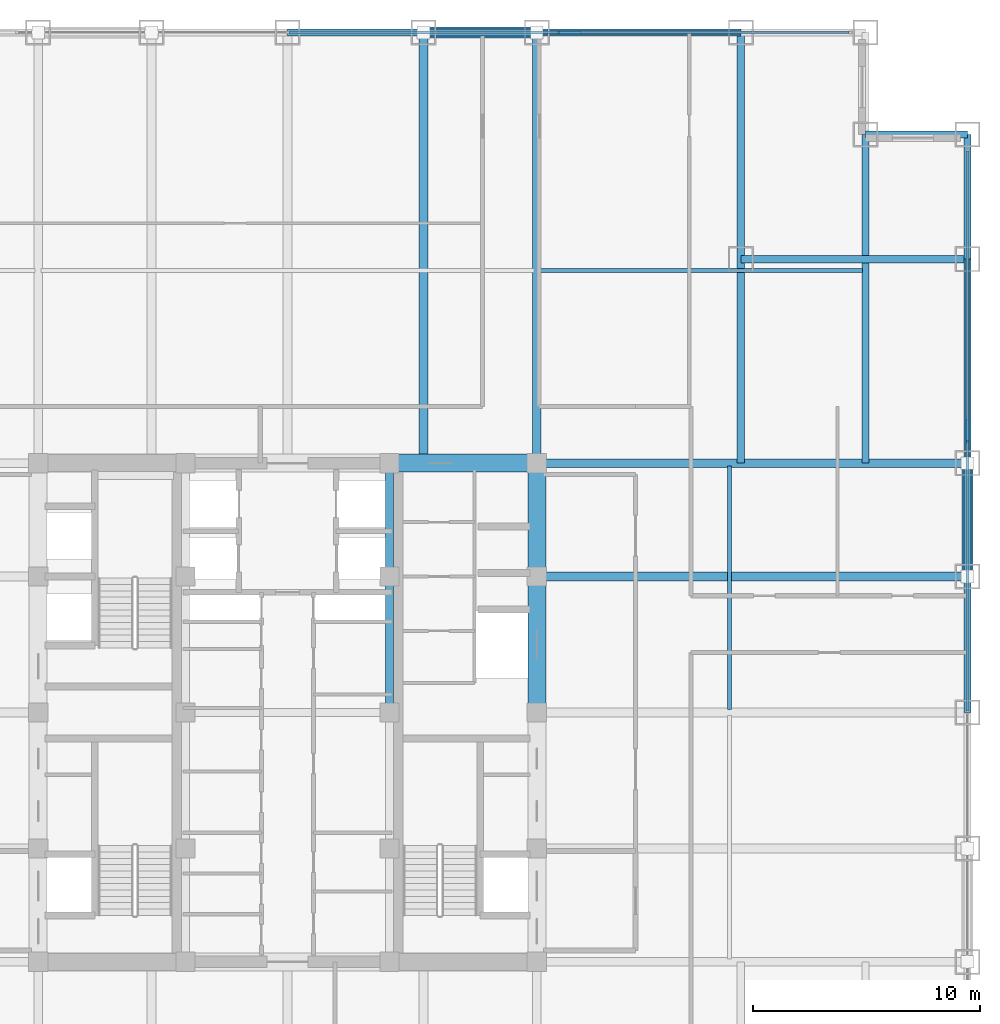
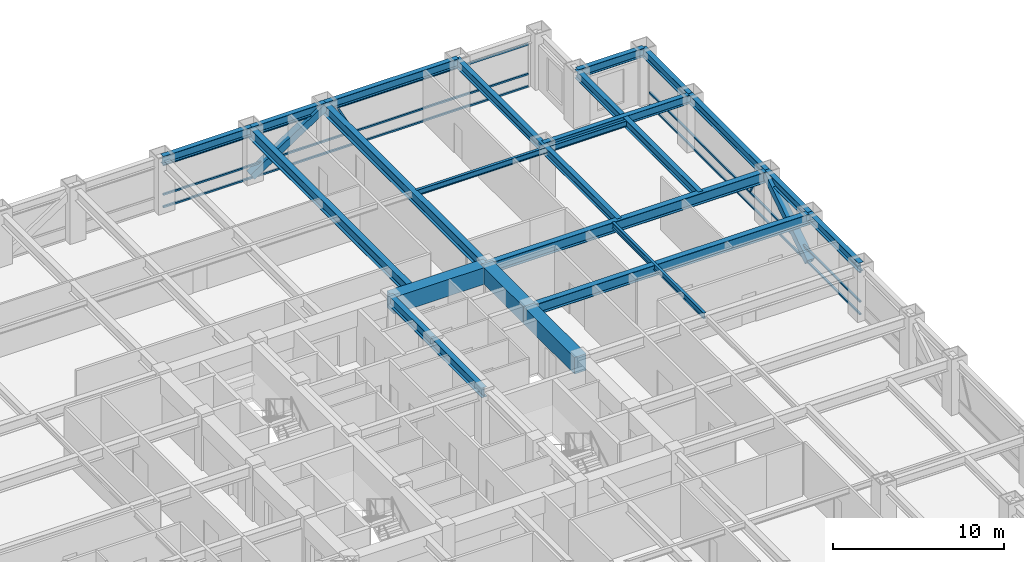
# One storey, part 17 of 25: 22 beams, 10 members, 2 elements without a shape of their own.
"""IFC4 building model written with IfcOpenShell, lengths in metres."""

from ifc_helpers import new_model, si_unit, direction, frame, origin, origin_2d, place, context, subcontext, project, spatial, rectangle, hollow_rectangle, i_section, extrude, source, transform, mapped, material, material_profile, profile_set, type_object, element, aggregate, save


model = new_model("IFC4")

# Units and contexts
model_context = context("Model", 3, precision=1e-05, world=origin(), true_north=direction((0.0, 1.0)))
body_context = subcontext(model_context, "Body", "Model", "MODEL_VIEW")
ifc_project = project(units=[si_unit("LENGTHUNIT", "METRE"), si_unit("AREAUNIT", "SQUARE_METRE"), si_unit("VOLUMEUNIT", "CUBIC_METRE"), si_unit("PLANEANGLEUNIT", "RADIAN"), si_unit("MASSUNIT", "GRAM", prefix="KILO")], contexts=[model_context])

# Site, building, storey
site_placement = place(None, origin())
site = spatial("IfcSite", under=ifc_project, at=site_placement, CompositionType="ELEMENT")
building_placement = place(site_placement, origin())
building = spatial("IfcBuilding", under=site, at=building_placement, Name="Khorayat Bourse Tower", CompositionType="ELEMENT")
storey_placement = place(building_placement, frame((0.0, 0.0, 195.10009765625)))
storey = spatial("IfcBuildingStorey", under=building, at=storey_placement, Name="L45", CompositionType="ELEMENT", Elevation=195.10009765625)

# Beams
ifc_material_1 = material(Name="Concrete C72/90", Category="concrete")
ifc_material_profile_1 = material_profile(ifc_material_1, rectangle(XDim=0.800048828125, YDim=1.199951171875, at=origin_2d()), Name="RC 800x1200")
ifc_profile_set_1 = profile_set([ifc_material_profile_1], Name="Concrete C72/90")
beam_type_1 = type_object("IfcBeamType", Name="BM-COUP-1200", PredefinedType="BEAM", material=ifc_profile_set_1)
shared_shape_1 = source(origin(), body_context, "Body", "SweptSolid", [
    extrude(rectangle(XDim=0.800048828125, YDim=1.199951171875, at=origin_2d()), origin(), (0.0, 0.0, 1.0), 5.0),
])
beam_1_placement = place(storey_placement, frame((11.0, 6.0, 3.179931640625), z_axis=(0.0, 1.0, 0.0), x_axis=(-1.0, 0.0, 0.0)))
element("IfcBeam", 1, at=beam_1_placement, inside=storey, type_object=beam_type_1, Name="L45 BM-COUP-1200 BM-L45-CRX-16", PredefinedType="BEAM", context=body_context, shape_type="MappedRepresentation", body=[
    mapped(shared_shape_1, transform((0.0, 0.0, 0.0), scale=1.0)),
])
shared_shape_2 = source(origin(), body_context, "Body", "SweptSolid", [
    extrude(rectangle(XDim=0.800048828125, YDim=1.199951171875, at=origin_2d()), origin(), (0.0, 0.0, 1.0), 6.0),
])
beam_2_placement = place(storey_placement, frame((11.0, 0.0, 3.179931640625), z_axis=(0.0, 1.0, 0.0), x_axis=(-1.0, 0.0, 0.0)))
element("IfcBeam", 2, at=beam_2_placement, inside=storey, type_object=beam_type_1, Name="L45 BM-COUP-1200 BM-L45-CRX-15", PredefinedType="BEAM", context=body_context, shape_type="MappedRepresentation", body=[
    mapped(shared_shape_2, transform((0.0, 0.0, 0.0), scale=1.0)),
])
ifc_material_2 = material(Name="Steel ASTM A992 Grade 50", Category="steel")
ifc_material_profile_2 = material_profile(ifc_material_2, i_section(OverallWidth=0.35498046875, OverallDepth=0.695068359375, WebThickness=0.015380859375, FlangeThickness=0.02490234375, FilletRadius=0.01806640625, at=origin_2d()), Name="W690X217")
ifc_profile_set_2 = profile_set([ifc_material_profile_2], Name="Steel ASTM A992 Grade 50")
beam_type_2 = type_object("IfcBeamType", Name="BM-GIRD-690", PredefinedType="BEAM", material=ifc_profile_set_2)
shared_shape_3 = source(origin(), body_context, "Body", "SweptSolid", [
    extrude(i_section(OverallWidth=0.35498046875, OverallDepth=0.695068359375, WebThickness=0.015380859375, FlangeThickness=0.02490234375, FilletRadius=0.01806640625, at=origin_2d()), origin(), (0.0, 0.0, 1.0), 5.0),
])
beam_3_placement = place(storey_placement, frame((4.5, 6.0, 3.432373046875), z_axis=(0.0, 1.0, 0.0), x_axis=(-1.0, 0.0, 0.0)))
element("IfcBeam", 3, at=beam_3_placement, inside=storey, type_object=beam_type_2, Name="L45 BM-GIRD-690 BM-L45-CRX-12", PredefinedType="BEAM", context=body_context, shape_type="MappedRepresentation", body=[
    mapped(shared_shape_3, transform((0.0, 0.0, 0.0), scale=1.0)),
])
shared_shape_4 = source(origin(), body_context, "Body", "SweptSolid", [
    extrude(i_section(OverallWidth=0.35498046875, OverallDepth=0.695068359375, WebThickness=0.015380859375, FlangeThickness=0.02490234375, FilletRadius=0.01806640625, at=origin_2d()), origin(), (0.0, 0.0, 1.0), 6.0),
])
beam_4_placement = place(storey_placement, frame((4.5, 0.0, 3.432373046875), z_axis=(0.0, 1.0, 0.0), x_axis=(-1.0, 0.0, 0.0)))
element("IfcBeam", 4, at=beam_4_placement, inside=storey, type_object=beam_type_2, Name="L45 BM-GIRD-690 BM-L45-CRX-11", PredefinedType="BEAM", context=body_context, shape_type="MappedRepresentation", body=[
    mapped(shared_shape_4, transform((0.0, 0.0, 0.0), scale=1.0)),
])
shared_shape_5 = source(origin(), body_context, "Body", "SweptSolid", [
    extrude(rectangle(XDim=0.800048828125, YDim=1.199951171875, at=origin_2d()), origin(), (0.0, 0.0, 1.0), 6.5),
])
beam_5_placement = place(storey_placement, frame((4.5, 11.0, 3.179931640625), z_axis=(1.0, 0.0, 0.0), x_axis=(0.0, 1.0, 0.0)))
element("IfcBeam", 5, at=beam_5_placement, inside=storey, type_object=beam_type_1, Name="L45 BM-COUP-1200 BM-L45-CRY-22", PredefinedType="BEAM", context=body_context, shape_type="MappedRepresentation", body=[
    mapped(shared_shape_5, transform((0.0, 0.0, 0.0), scale=1.0)),
])
ifc_material_profile_3 = material_profile(ifc_material_2, i_section(OverallWidth=0.381103515625, OverallDepth=0.77294921875, WebThickness=0.0166015625, FlangeThickness=0.027587890625, FilletRadius=0.01806640625, at=origin_2d()), Name="W760X257")
ifc_profile_set_3 = profile_set([ifc_material_profile_3], Name="Steel ASTM A992 Grade 50")
beam_type_3 = type_object("IfcBeamType", Name="BM-GIRD-760", PredefinedType="BEAM", material=ifc_profile_set_3)
shared_shape_6 = source(origin(), body_context, "Body", "SweptSolid", [
    extrude(i_section(OverallWidth=0.381103515625, OverallDepth=0.77294921875, WebThickness=0.0166015625, FlangeThickness=0.027587890625, FilletRadius=0.01806640625, at=origin_2d()), origin(), (0.0, 0.0, 1.0), 19.0),
])
for number, where, z_axis, x_axis, name in (
    (6, (6.0, 11.0, 3.393310546875), (0.0, 1.0, 0.0), (-1.0, 0.0, 0.0), "L45 BM-GIRD-760 BM-L45-RADY-070"),
    (7, (11.0, 11.0, 3.393310546875), (0.0, 1.0, 0.0), (-1.0, 0.0, 0.0), "L45 BM-GIRD-760 BM-L45-RADY-072"),
    (8, (11.0, 6.0, 3.393310546875), (1.0, 0.0, 0.0), (0.0, 1.0, 0.0), "L45 BM-GIRD-760 BM-L45-RADX-080"),
    (9, (11.0, 11.0, 3.393310546875), (1.0, 0.0, 0.0), (0.0, 1.0, 0.0), "L45 BM-GIRD-760 BM-L45-RADX-082"),
):
    element("IfcBeam", number, at=place(storey_placement, frame(where, z_axis=z_axis, x_axis=x_axis)), inside=storey, type_object=beam_type_3, Name=name, PredefinedType="BEAM", context=body_context, shape_type="MappedRepresentation", body=[
        mapped(shared_shape_6, transform((0.0, 0.0, 0.0), scale=1.0)),
    ])
ifc_material_profile_4 = material_profile(ifc_material_2, i_section(OverallWidth=0.324951171875, OverallDepth=0.615966796875, WebThickness=0.013916015625, FlangeThickness=0.021484375, FilletRadius=0.01611328125, at=origin_2d()), Name="W610X174")
ifc_profile_set_4 = profile_set([ifc_material_profile_4], Name="Steel ASTM A992 Grade 50")
beam_type_4 = type_object("IfcBeamType", Name="BM-GIRD-610", PredefinedType="BEAM", material=ifc_profile_set_4)
shared_shape_7 = source(origin(), body_context, "Body", "SweptSolid", [
    extrude(i_section(OverallWidth=0.324951171875, OverallDepth=0.615966796875, WebThickness=0.013916015625, FlangeThickness=0.021484375, FilletRadius=0.01611328125, at=origin_2d()), origin(), (0.0, 0.0, 1.0), 19.0),
])
beam_6_placement = place(storey_placement, frame((20.0, 11.0, 3.471923828125), z_axis=(0.0, 1.0, 0.0), x_axis=(-1.0, 0.0, 0.0)))
element("IfcBeam", 10, at=beam_6_placement, inside=storey, type_object=beam_type_4, Name="L45 BM-GIRD-610 BM-L45-CNRY-087", PredefinedType="BEAM", context=body_context, shape_type="MappedRepresentation", body=[
    mapped(shared_shape_7, transform((0.0, 0.0, 0.0), scale=1.0)),
])
shared_shape_8 = source(origin(), body_context, "Body", "SweptSolid", [
    extrude(i_section(OverallWidth=0.324951171875, OverallDepth=0.615966796875, WebThickness=0.013916015625, FlangeThickness=0.021484375, FilletRadius=0.01611328125, at=origin_2d()), origin(), (0.0, 0.0, 1.0), 14.5),
])
beam_7_placement = place(storey_placement, frame((25.5, 11.0, 3.471923828125), z_axis=(0.0, 1.0, 0.0), x_axis=(-1.0, 0.0, 0.0)))
element("IfcBeam", 11, at=beam_7_placement, inside=storey, type_object=beam_type_4, Name="L45 BM-GIRD-610 BM-L45-CNRY-091", PredefinedType="BEAM", context=body_context, shape_type="MappedRepresentation", body=[
    mapped(shared_shape_8, transform((0.0, 0.0, 0.0), scale=1.0)),
])
shared_shape_9 = source(origin(), body_context, "Body", "SweptSolid", [
    extrude(i_section(OverallWidth=0.324951171875, OverallDepth=0.615966796875, WebThickness=0.013916015625, FlangeThickness=0.021484375, FilletRadius=0.01611328125, at=origin_2d()), origin(), (0.0, 0.0, 1.0), 10.0),
])
beam_8_placement = place(storey_placement, frame((20.0, 20.0, 3.471923828125), z_axis=(1.0, 0.0, 0.0), x_axis=(0.0, 1.0, 0.0)))
element("IfcBeam", 12, at=beam_8_placement, inside=storey, type_object=beam_type_4, Name="L45 BM-GIRD-610 BM-L45-CNRX-094", PredefinedType="BEAM", context=body_context, shape_type="MappedRepresentation", body=[
    mapped(shared_shape_9, transform((0.0, 0.0, 0.0), scale=1.0)),
])
ifc_material_profile_5 = material_profile(ifc_material_2, i_section(OverallWidth=0.180908203125, OverallDepth=0.4169921875, WebThickness=0.010986328125, FlangeThickness=0.018310546875, FilletRadius=0.011962890625, at=origin_2d()), Name="W410X85")
ifc_profile_set_5 = profile_set([ifc_material_profile_5], Name="Steel ASTM A992 Grade 50")
beam_type_5 = type_object("IfcBeamType", Name="BM-JOIST-410", PredefinedType="JOIST", material=ifc_profile_set_5)
shared_shape_10 = source(origin(), body_context, "Body", "SweptSolid", [
    extrude(i_section(OverallWidth=0.180908203125, OverallDepth=0.4169921875, WebThickness=0.010986328125, FlangeThickness=0.018310546875, FilletRadius=0.011962890625, at=origin_2d()), origin(), (0.0, 0.0, 1.0), 14.240234375),
])
beam_9_placement = place(storey_placement, frame((11.1298828125, 19.5, 3.5712890625), z_axis=(1.0, 0.0, 0.0), x_axis=(0.0, 1.0, 0.0)))
element("IfcBeam", 13, at=beam_9_placement, inside=storey, type_object=beam_type_5, Name="L45 BM-JOIST-410 BM-L45-JSTX-101", PredefinedType="JOIST", context=body_context, shape_type="MappedRepresentation", body=[
    mapped(shared_shape_10, transform((0.0, 0.0, 0.0), scale=1.0)),
])
shared_shape_11 = source(origin(), body_context, "Body", "SweptSolid", [
    extrude(i_section(OverallWidth=0.180908203125, OverallDepth=0.4169921875, WebThickness=0.010986328125, FlangeThickness=0.018310546875, FilletRadius=0.011962890625, at=origin_2d()), origin(), (0.0, 0.0, 1.0), 10.740234375),
])
beam_10_placement = place(storey_placement, frame((19.5, 0.1298828125, 3.5712890625), z_axis=(0.0, 1.0, 0.0), x_axis=(-1.0, 0.0, 0.0)))
element("IfcBeam", 14, at=beam_10_placement, inside=storey, type_object=beam_type_5, Name="L45 BM-JOIST-410 BM-L45-JSTY-105", PredefinedType="JOIST", context=body_context, shape_type="MappedRepresentation", body=[
    mapped(shared_shape_11, transform((0.0, 0.0, 0.0), scale=1.0)),
])
ifc_material_profile_6 = material_profile(ifc_material_2, i_section(OverallWidth=0.324951171875, OverallDepth=0.615966796875, WebThickness=0.013916015625, FlangeThickness=0.021484375, FilletRadius=0.01611328125, at=origin_2d()), Name="W610X174")
ifc_profile_set_6 = profile_set([ifc_material_profile_6], Name="Steel ASTM A992 Grade 50")
beam_type_6 = type_object("IfcBeamType", Name="BM-SPAN-610", PredefinedType="SPANDREL", material=ifc_profile_set_6)
shared_shape_12 = source(origin(), body_context, "Body", "SweptSolid", [
    extrude(i_section(OverallWidth=0.324951171875, OverallDepth=0.615966796875, WebThickness=0.013916015625, FlangeThickness=0.021484375, FilletRadius=0.01611328125, at=origin_2d()), origin(), (0.0, 0.0, 1.0), 5.5),
])
beam_11_placement = place(storey_placement, frame((30.0, 20.0, 3.471923828125), z_axis=(0.0, 1.0, 0.0), x_axis=(-1.0, 0.0, 0.0)))
element("IfcBeam", 15, at=beam_11_placement, inside=storey, type_object=beam_type_6, Name="L45 BM-SPAN-610 BM-L45-SPN-041", PredefinedType="SPANDREL", context=body_context, shape_type="MappedRepresentation", body=[
    mapped(shared_shape_12, transform((0.0, 0.0, 0.0), scale=1.0)),
])
shared_shape_13 = source(origin(), body_context, "Body", "SweptSolid", [
    extrude(i_section(OverallWidth=0.324951171875, OverallDepth=0.615966796875, WebThickness=0.013916015625, FlangeThickness=0.021484375, FilletRadius=0.01611328125, at=origin_2d()), origin(), (0.0, 0.0, 1.0), 9.0),
])
for number, where, z_axis, x_axis, name in (
    (16, (30.0, 11.0, 3.471923828125), (0.0, 1.0, 0.0), (-1.0, 0.0, 0.0), "L45 BM-SPAN-610 BM-L45-SPN-040"),
    (17, (11.0, 30.0, 3.471923828125), (1.0, 0.0, 0.0), (0.0, 1.0, 0.0), "L45 BM-SPAN-610 BM-L45-SPN-045"),
):
    element("IfcBeam", number, at=place(storey_placement, frame(where, z_axis=z_axis, x_axis=x_axis)), inside=storey, type_object=beam_type_6, Name=name, PredefinedType="SPANDREL", context=body_context, shape_type="MappedRepresentation", body=[
        mapped(shared_shape_13, transform((0.0, 0.0, 0.0), scale=1.0)),
    ])
shared_shape_14 = source(origin(), body_context, "Body", "SweptSolid", [
    extrude(i_section(OverallWidth=0.324951171875, OverallDepth=0.615966796875, WebThickness=0.013916015625, FlangeThickness=0.021484375, FilletRadius=0.01611328125, at=origin_2d()), origin(), (0.0, 0.0, 1.0), 5.0),
])
for number, where, z_axis, x_axis, name in (
    (18, (30.0, 6.0, 3.471923828125), (0.0, 1.0, 0.0), (-1.0, 0.0, 0.0), "L45 BM-SPAN-610 BM-L45-SPN-039"),
    (19, (6.0, 30.0, 3.471923828125), (1.0, 0.0, 0.0), (0.0, 1.0, 0.0), "L45 BM-SPAN-610 BM-L45-SPN-046"),
):
    element("IfcBeam", number, at=place(storey_placement, frame(where, z_axis=z_axis, x_axis=x_axis)), inside=storey, type_object=beam_type_6, Name=name, PredefinedType="SPANDREL", context=body_context, shape_type="MappedRepresentation", body=[
        mapped(shared_shape_14, transform((0.0, 0.0, 0.0), scale=1.0)),
    ])
shared_shape_15 = source(origin(), body_context, "Body", "SweptSolid", [
    extrude(i_section(OverallWidth=0.324951171875, OverallDepth=0.615966796875, WebThickness=0.013916015625, FlangeThickness=0.021484375, FilletRadius=0.01611328125, at=origin_2d()), origin(), (0.0, 0.0, 1.0), 6.0),
])
for number, where, z_axis, x_axis, name in (
    (20, (30.0, 0.0, 3.471923828125), (0.0, 1.0, 0.0), (-1.0, 0.0, 0.0), "L45 BM-SPAN-610 BM-L45-SPN-038"),
    (21, (0.0, 30.0, 3.471923828125), (1.0, 0.0, 0.0), (0.0, 1.0, 0.0), "L45 BM-SPAN-610 BM-L45-SPN-047"),
):
    element("IfcBeam", number, at=place(storey_placement, frame(where, z_axis=z_axis, x_axis=x_axis)), inside=storey, type_object=beam_type_6, Name=name, PredefinedType="SPANDREL", context=body_context, shape_type="MappedRepresentation", body=[
        mapped(shared_shape_15, transform((0.0, 0.0, 0.0), scale=1.0)),
    ])
shared_shape_16 = source(origin(), body_context, "Body", "SweptSolid", [
    extrude(i_section(OverallWidth=0.324951171875, OverallDepth=0.615966796875, WebThickness=0.013916015625, FlangeThickness=0.021484375, FilletRadius=0.01611328125, at=origin_2d()), origin(), (0.0, 0.0, 1.0), 4.5),
])
beam_12_placement = place(storey_placement, frame((25.5, 25.5, 3.471923828125), z_axis=(1.0, 0.0, 0.0), x_axis=(0.0, 1.0, 0.0)))
element("IfcBeam", 22, at=beam_12_placement, inside=storey, type_object=beam_type_6, Name="L45 BM-SPAN-610 BM-L45-SPN-042", PredefinedType="SPANDREL", context=body_context, shape_type="MappedRepresentation", body=[
    mapped(shared_shape_16, transform((0.0, 0.0, 0.0), scale=1.0)),
])

# Members
ifc_material_3 = material(Name="Steel EN 10025-4 S460M", Category="steel")
ifc_material_profile_7 = material_profile(ifc_material_3, hollow_rectangle(XDim=0.5, YDim=0.5, WallThickness=0.028076171875, at=origin_2d()), Name="HSS 500x500x28")
ifc_profile_set_7 = profile_set([ifc_material_profile_7], Name="Steel EN 10025-4 S460M")
member_type_1 = type_object("IfcMemberType", Name="MBR-TUBE-500", PredefinedType="BRACE", material=ifc_profile_set_7)
shared_shape_17 = source(origin(), body_context, "Body", "SweptSolid", [
    extrude(hollow_rectangle(XDim=0.5, YDim=0.5, WallThickness=0.028076171875, at=origin_2d()), origin(), (0.0, 0.0, 1.0), 5.979736328125),
])
for number, where, z_axis, x_axis, name in (
    (23, (6.0, 30.0, 0.25), (0.836160261256, 0.0, 0.548485202623), (0.0, 1.0, 0.0), "L45 Perimeter Tube Brace 04"),
    (24, (30.0, 6.0, 0.25), (0.0, 0.836160261256, 0.548485202623), (-1.0, 0.0, 0.0), "L45 Perimeter Tube Brace 08"),
):
    element("IfcMember", number, at=place(storey_placement, frame(where, z_axis=z_axis, x_axis=x_axis)), inside=storey, type_object=member_type_1, Name=name, PredefinedType="BRACE", context=body_context, shape_type="MappedRepresentation", body=[
        mapped(shared_shape_17, transform((0.0, 0.0, 0.0), scale=1.0)),
    ])

# Curtain wall, member
ifc_material_4 = material(Name="Aluminium EN AW-6063 T6", Category="aluminium")
curtain_wall_type = type_object("IfcCurtainWallType", Name="CW-SYS-03", PredefinedType="NOTDEFINED", material=ifc_material_4)
curtain_wall_1_placement = place(storey_placement, origin())
curtain_wall_1 = element("IfcCurtainWall", 25, at=curtain_wall_1_placement, inside=storey, type_object=curtain_wall_type, Name="L45 Curtain Wall CW-L45-N1", PredefinedType="NOTDEFINED")
ifc_material_profile_8 = material_profile(ifc_material_4, hollow_rectangle(XDim=0.1201171875, YDim=0.1201171875, WallThickness=0.0048828125, at=origin_2d()), Name="ALU 120x120x5")
ifc_profile_set_8 = profile_set([ifc_material_profile_8], Name="Aluminium EN AW-6063 T6")
member_type_2 = type_object("IfcMemberType", Name="CWM-DIAG-120", PredefinedType="MULLION", material=ifc_profile_set_8)
shared_shape_18 = source(origin(), body_context, "Body", "SweptSolid", [
    extrude(hollow_rectangle(XDim=0.1201171875, YDim=0.1201171875, WallThickness=0.0048828125, at=origin_2d()), origin(), (0.0, 0.0, 1.0), 2.079345703125),
])
member_1_placement = place(storey_placement, frame((12.904296875, 30.0, 1.08984375), z_axis=(-0.465760949701, 0.0, 0.884910581773), x_axis=(0.0, -1.0, 0.0)))
member_1 = element("IfcMember", 26, at=member_1_placement, type_object=member_type_2, Name="CW-L45-N1 Faceted Diagonal Mullion 2", PredefinedType="MULLION", context=body_context, shape_type="MappedRepresentation", body=[
    mapped(shared_shape_18, transform((0.0, 0.0, 0.0), scale=1.0)),
])

curtain_wall_2_placement = place(storey_placement, origin())
curtain_wall_2 = element("IfcCurtainWall", 27, at=curtain_wall_2_placement, inside=storey, type_object=curtain_wall_type, Name="L45 Curtain Wall CW-L45-E1", PredefinedType="NOTDEFINED")
member_2_placement = place(storey_placement, frame((30.0, 12.904296875, 1.08984375), z_axis=(0.0, -0.465760949701, 0.884910581773), x_axis=(1.0, 0.0, 0.0)))
member_2 = element("IfcMember", 28, at=member_2_placement, type_object=member_type_2, Name="CW-L45-E1 Faceted Diagonal Mullion 2", PredefinedType="MULLION", context=body_context, shape_type="MappedRepresentation", body=[
    mapped(shared_shape_18, transform((0.0, 0.0, 0.0), scale=1.0)),
])

# Member
ifc_material_profile_9 = material_profile(ifc_material_4, hollow_rectangle(XDim=0.1201171875, YDim=0.1201171875, WallThickness=0.0048828125, at=origin_2d()), Name="ALU 120x120x5")
ifc_profile_set_9 = profile_set([ifc_material_profile_9], Name="Aluminium EN AW-6063 T6")
member_type_3 = type_object("IfcMemberType", Name="CWT-HORZ-120", PredefinedType="USERDEFINED", material=ifc_profile_set_9)
shared_shape_19 = source(origin(), body_context, "Body", "SweptSolid", [
    extrude(hollow_rectangle(XDim=0.1201171875, YDim=0.1201171875, WallThickness=0.0048828125, at=origin_2d()), origin(), (0.0, 0.0, 1.0), 24.719970703125),
])
member_3_placement = place(storey_placement, frame((0.06005859375, 30.0, 0.059814453125), z_axis=(1.0, 0.0, 0.0), x_axis=(0.0, 1.0, 0.0)))
member_3 = element("IfcMember", 29, at=member_3_placement, type_object=member_type_3, Name="CW-L45-N1 Horizontal Transom 2-1", ObjectType="TRANSOM", PredefinedType="USERDEFINED", context=body_context, shape_type="MappedRepresentation", body=[
    mapped(shared_shape_19, transform((0.0, 0.0, 0.0), scale=1.0)),
])

member_4_placement = place(storey_placement, frame((0.06005859375, 30.0, 0.949951171875), z_axis=(1.0, 0.0, 0.0), x_axis=(0.0, 1.0, 0.0)))
member_4 = element("IfcMember", 30, at=member_4_placement, type_object=member_type_3, Name="CW-L45-N1 Horizontal Transom 2-2", ObjectType="TRANSOM", PredefinedType="USERDEFINED", context=body_context, shape_type="MappedRepresentation", body=[
    mapped(shared_shape_19, transform((0.0, 0.0, 0.0), scale=1.0)),
])

member_5_placement = place(storey_placement, frame((0.06005859375, 30.0, 3.06982421875), z_axis=(1.0, 0.0, 0.0), x_axis=(0.0, 1.0, 0.0)))
member_5 = element("IfcMember", 31, at=member_5_placement, type_object=member_type_3, Name="CW-L45-N1 Horizontal Transom 2-3", ObjectType="TRANSOM", PredefinedType="USERDEFINED", context=body_context, shape_type="MappedRepresentation", body=[
    mapped(shared_shape_19, transform((0.0, 0.0, 0.0), scale=1.0)),
])

aggregate(curtain_wall_1, [member_3, member_4, member_5, member_1])

member_6_placement = place(storey_placement, frame((30.0, 0.06005859375, 0.059814453125), z_axis=(0.0, 1.0, 0.0), x_axis=(-1.0, 0.0, 0.0)))
member_6 = element("IfcMember", 32, at=member_6_placement, type_object=member_type_3, Name="CW-L45-E1 Horizontal Transom 2-1", ObjectType="TRANSOM", PredefinedType="USERDEFINED", context=body_context, shape_type="MappedRepresentation", body=[
    mapped(shared_shape_19, transform((0.0, 0.0, 0.0), scale=1.0)),
])

member_7_placement = place(storey_placement, frame((30.0, 0.06005859375, 0.949951171875), z_axis=(0.0, 1.0, 0.0), x_axis=(-1.0, 0.0, 0.0)))
member_7 = element("IfcMember", 33, at=member_7_placement, type_object=member_type_3, Name="CW-L45-E1 Horizontal Transom 2-2", ObjectType="TRANSOM", PredefinedType="USERDEFINED", context=body_context, shape_type="MappedRepresentation", body=[
    mapped(shared_shape_19, transform((0.0, 0.0, 0.0), scale=1.0)),
])

member_8_placement = place(storey_placement, frame((30.0, 0.06005859375, 3.06982421875), z_axis=(0.0, 1.0, 0.0), x_axis=(-1.0, 0.0, 0.0)))
member_8 = element("IfcMember", 34, at=member_8_placement, type_object=member_type_3, Name="CW-L45-E1 Horizontal Transom 2-3", ObjectType="TRANSOM", PredefinedType="USERDEFINED", context=body_context, shape_type="MappedRepresentation", body=[
    mapped(shared_shape_19, transform((0.0, 0.0, 0.0), scale=1.0)),
])

aggregate(curtain_wall_2, [member_6, member_7, member_8, member_2])

save(model, "model.ifc")
